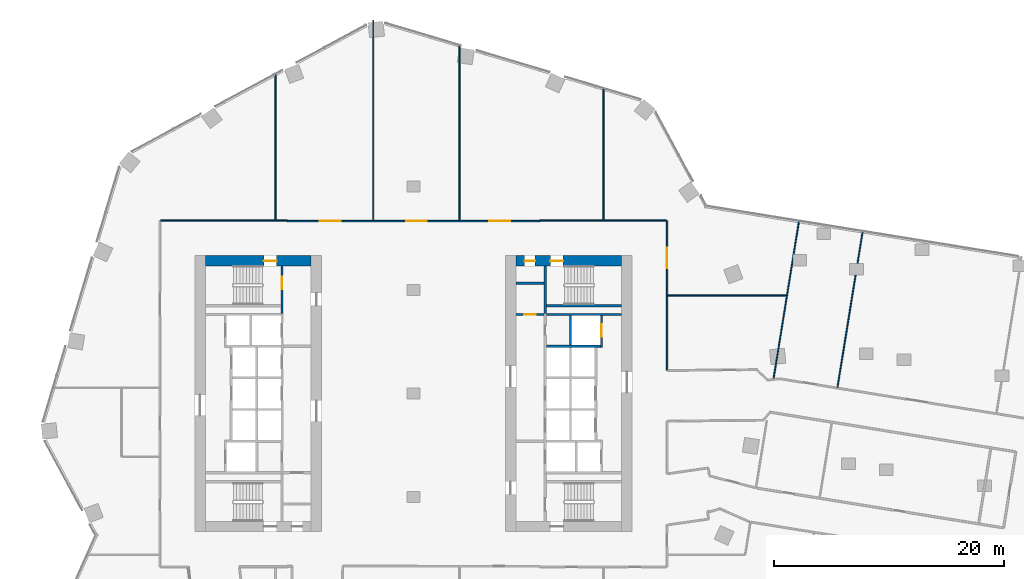
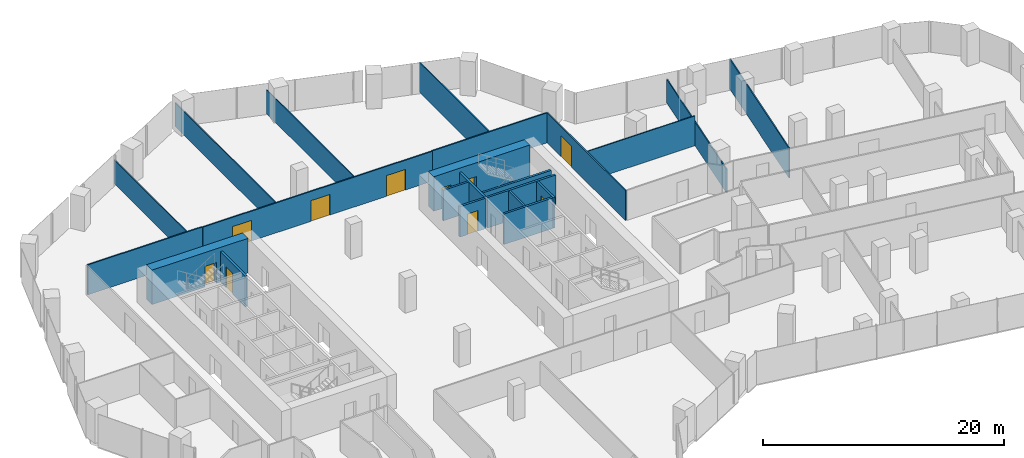
# One storey, part 29 of 34: 22 walls, 10 doors, 10 openings.
"""IFC4 building model written with IfcOpenShell, lengths in metres."""

from ifc_helpers import new_model, si_unit, direction, frame, frame_2d, origin, place, context, subcontext, project, spatial, rectangle, extrude, material, layer, layer_set, type_object, element, fill, save


model = new_model("IFC4")

# Units and contexts
model_context = context("Model", 3, precision=1e-05, world=origin(), true_north=direction((0.0, 1.0)))
body_context = subcontext(model_context, "Body", "Model", "MODEL_VIEW")
ifc_project = project(units=[si_unit("LENGTHUNIT", "METRE"), si_unit("AREAUNIT", "SQUARE_METRE"), si_unit("VOLUMEUNIT", "CUBIC_METRE"), si_unit("PLANEANGLEUNIT", "RADIAN"), si_unit("MASSUNIT", "GRAM", prefix="KILO")], contexts=[model_context])

# Site, building, storey
site_placement = place(None, origin())
site = spatial("IfcSite", under=ifc_project, at=site_placement, CompositionType="ELEMENT")
building_placement = place(site_placement, origin())
building = spatial("IfcBuilding", under=site, at=building_placement, Name="Orlundy Tower", CompositionType="ELEMENT")
storey_placement = place(building_placement, frame((0.0, 0.0, 134.199951171875)))
storey = spatial("IfcBuildingStorey", under=building, at=storey_placement, Name="L34", CompositionType="ELEMENT", Elevation=134.199951171875)

# Wall, opening, door
ifc_material_1 = material(Name="Concrete C80/95", Category="concrete")
ifc_layer_1 = layer(ifc_material_1, 0.89990234375)
ifc_layer_set_1 = layer_set([ifc_layer_1], Name="CORE WALL 900 C80/95")
wall_type_1 = type_object("IfcWallType", Name="CORE WALL 900 C80/95", PredefinedType="SHEAR", material=ifc_layer_set_1)
wall_1_placement = place(storey_placement, frame((-18.10009765625, 11.550048828125, 0.0), z_axis=(0.0, 0.0, 1.0), x_axis=(1.0, 0.0, 0.0)))
wall_1 = element("IfcWall", 1, at=wall_1_placement, inside=storey, type_object=wall_type_1, Name="Core wall W-N L34", PredefinedType="SHEAR", context=body_context, shape_type="SweptSolid", body=[
    extrude(rectangle(XDim=9.2001953125, YDim=0.89990234375, at=frame_2d((4.60009765625, 0.0))), origin(), (0.0, 0.0, 1.0), 3.5),
])
opening_1_placement = place(wall_1_placement, frame((5.10009765625, 0.0, 0.0)))
opening_1 = element("IfcOpeningElement", 2, at=opening_1_placement, cuts=wall_1, Name="Opening 26012", PredefinedType="OPENING", context=body_context, shape_type="SweptSolid", body=[
    extrude(rectangle(XDim=1.10009765625, YDim=2.10009765625, at=frame_2d((0.550048828125, 1.050048828125))), frame((0.0, 0.4599609375, 0.0), z_axis=(0.0, -1.0, 0.0), x_axis=(1.0, 0.0, 0.0)), (0.0, 0.0, 1.0), 0.919921875),
])
ifc_material_2 = material(Name="Steel door set", Category="steel")
door_type_1 = type_object("IfcDoorType", Name="Stair Door 1100x2100", OperationType="SINGLE_SWING_LEFT", PredefinedType="DOOR", material=ifc_material_2)
door_1_placement = place(opening_1_placement, origin())
door_1 = element("IfcDoor", 3, at=door_1_placement, inside=storey, type_object=door_type_1, Name="Stair door 26012", OperationType="SINGLE_SWING_RIGHT", OverallHeight=2.10009765625, OverallWidth=1.10009765625, PredefinedType="DOOR", context=body_context, shape_type="SweptSolid", body=[
    extrude(rectangle(XDim=1.10009765625, YDim=2.10009765625, at=frame_2d((0.550048828125, 1.050048828125))), frame((0.0, 0.02490234375, 0.0), z_axis=(0.0, -1.0, 0.0), x_axis=(1.0, 0.0, 0.0)), (0.0, 0.0, 1.0), 0.050048828125),
])
fill(opening_1, door_1)

# Wall, openings, doors
wall_2_placement = place(storey_placement, frame((8.89990234375, 11.550048828125, 0.0), z_axis=(0.0, 0.0, 1.0), x_axis=(1.0, 0.0, 0.0)))
wall_2 = element("IfcWall", 4, at=wall_2_placement, inside=storey, type_object=wall_type_1, Name="Core wall E-N L34", PredefinedType="SHEAR", context=body_context, shape_type="SweptSolid", body=[
    extrude(rectangle(XDim=9.2001953125, YDim=0.89990234375, at=frame_2d((4.60009765625, 0.0))), origin(), (0.0, 0.0, 1.0), 3.5),
])
opening_2_placement = place(wall_2_placement, frame((3.0, 0.0, 0.0)))
opening_2 = element("IfcOpeningElement", 5, at=opening_2_placement, cuts=wall_2, Name="Opening 26062", PredefinedType="OPENING", context=body_context, shape_type="SweptSolid", body=[
    extrude(rectangle(XDim=1.10009765625, YDim=2.10009765625, at=frame_2d((0.550048828125, 1.050048828125))), frame((0.0, 0.4599609375, 0.0), z_axis=(0.0, -1.0, 0.0), x_axis=(1.0, 0.0, 0.0)), (0.0, 0.0, 1.0), 0.919921875),
])
opening_3_placement = place(wall_2_placement, frame((0.77001953125, 0.0, 0.0)))
opening_3 = element("IfcOpeningElement", 6, at=opening_3_placement, cuts=wall_2, Name="Opening 26064", PredefinedType="OPENING", context=body_context, shape_type="SweptSolid", body=[
    extrude(rectangle(XDim=0.89990234375, YDim=2.10009765625, at=frame_2d((0.449951171875, 1.050048828125))), frame((0.0, 0.4599609375, 0.0), z_axis=(0.0, -1.0, 0.0), x_axis=(1.0, 0.0, 0.0)), (0.0, 0.0, 1.0), 0.919921875),
])
ifc_material_3 = material(Name="Timber door set", Category="wood")
door_type_2 = type_object("IfcDoorType", Name="Room Door 900x2100", OperationType="SINGLE_SWING_LEFT", PredefinedType="DOOR", material=ifc_material_3)
door_2_placement = place(opening_3_placement, origin())
door_2 = element("IfcDoor", 7, at=door_2_placement, inside=storey, type_object=door_type_2, Name="Store door 26064", OperationType="SINGLE_SWING_LEFT", OverallHeight=2.10009765625, OverallWidth=0.89990234375, PredefinedType="DOOR", context=body_context, shape_type="SweptSolid", body=[
    extrude(rectangle(XDim=0.89990234375, YDim=2.10009765625, at=frame_2d((0.449951171875, 1.050048828125))), frame((0.0, 0.02490234375, 0.0), z_axis=(0.0, -1.0, 0.0), x_axis=(1.0, 0.0, 0.0)), (0.0, 0.0, 1.0), 0.050048828125),
])
fill(opening_3, door_2)
door_3_placement = place(opening_2_placement, origin())
door_3 = element("IfcDoor", 8, at=door_3_placement, inside=storey, type_object=door_type_1, Name="Stair door 26062", OperationType="SINGLE_SWING_LEFT", OverallHeight=2.10009765625, OverallWidth=1.10009765625, PredefinedType="DOOR", context=body_context, shape_type="SweptSolid", body=[
    extrude(rectangle(XDim=1.10009765625, YDim=2.10009765625, at=frame_2d((0.550048828125, 1.050048828125))), frame((0.0, 0.02490234375, 0.0), z_axis=(0.0, -1.0, 0.0), x_axis=(1.0, 0.0, 0.0)), (0.0, 0.0, 1.0), 0.050048828125),
])
fill(opening_2, door_3)

# Walls
ifc_material_4 = material(Name="Gypsum board partition")
ifc_layer_2 = layer(ifc_material_4, 0.10009765625)
ifc_layer_set_2 = layer_set([ifc_layer_2], Name="Floor partition 100")
wall_type_2 = type_object("IfcWallType", Name="Floor partition 100", PredefinedType="PARTITIONING", material=ifc_layer_set_2)
wall_3_placement = place(storey_placement, frame((22.113037109375, 8.531005859375, 0.0), z_axis=(0.0, 0.0, 1.0), x_axis=(1.0, 0.0, 0.0)))
element("IfcWall", 9, at=wall_3_placement, inside=storey, type_object=wall_type_2, Name="wall-int-L34-039", PredefinedType="PARTITIONING", context=body_context, shape_type="SweptSolid", body=[
    extrude(rectangle(XDim=10.303955078125, YDim=0.10009765625, at=frame_2d((5.15185546875, 0.0))), origin(), (0.0, 0.0, 1.0), 3.030029296875),
])
wall_4_placement = place(storey_placement, frame((36.85791015625, 0.549072265625, 0.0), z_axis=(0.0, 0.0, 1.0), x_axis=(0.159375015721, 0.987218113876, 0.0)))
element("IfcWall", 10, at=wall_4_placement, inside=storey, type_object=wall_type_2, Name="wall-int-L34-069", PredefinedType="PARTITIONING", context=body_context, shape_type="SweptSolid", body=[
    extrude(rectangle(XDim=13.835693359375, YDim=0.10009765625, at=frame_2d((6.91796875, 0.0))), origin(), (0.0, 0.0, 1.0), 3.030029296875),
])
wall_5_placement = place(storey_placement, frame((16.52099609375, 15.114013671875, 0.0), z_axis=(0.0, 0.0, 1.0), x_axis=(0.0, 1.0, 0.0)))
element("IfcWall", 11, at=wall_5_placement, inside=storey, type_object=wall_type_2, Name="wall-int-L34-080", PredefinedType="PARTITIONING", context=body_context, shape_type="SweptSolid", body=[
    extrude(rectangle(XDim=11.51708984375, YDim=0.10009765625, at=frame_2d((5.758544921875, 0.0))), origin(), (0.0, 0.0, 1.0), 3.030029296875),
])
ifc_material_5 = material(Name="Gypsum board partition")
ifc_layer_3 = layer(ifc_material_5, 0.10009765625)
ifc_layer_set_3 = layer_set([ifc_layer_3], Name="Floor partition 100 B")
wall_type_3 = type_object("IfcWallType", Name="Floor partition 100 B", PredefinedType="PARTITIONING", material=ifc_layer_set_3)
wall_6_placement = place(storey_placement, frame((31.302001953125, 1.31396484375, 0.0), z_axis=(0.0, 0.0, 1.0), x_axis=(0.159396223654, 0.987214689865, 0.0)))
element("IfcWall", 12, at=wall_6_placement, inside=storey, type_object=wall_type_3, Name="wall-int-L34-072", PredefinedType="PARTITIONING", context=body_context, shape_type="SweptSolid", body=[
    extrude(rectangle(XDim=13.965576171875, YDim=0.10009765625, at=frame_2d((6.98291015625, 0.0))), origin(), (0.0, 0.0, 1.0), 2.39501953125),
])
wall_7_placement = place(storey_placement, frame((4.0, 15.06298828125, 0.0), z_axis=(0.0, 0.0, 1.0), x_axis=(0.0, 1.0, 0.0)))
element("IfcWall", 13, at=wall_7_placement, inside=storey, type_object=wall_type_3, Name="wall-int-L34-082", PredefinedType="PARTITIONING", context=body_context, shape_type="SweptSolid", body=[
    extrude(rectangle(XDim=15.31591796875, YDim=0.10009765625, at=frame_2d((7.657958984375, 0.0))), origin(), (0.0, 0.0, 1.0), 2.39501953125),
])
wall_8_placement = place(storey_placement, frame((-3.4951171875, 15.06298828125, 0.0), z_axis=(0.0, 0.0, 1.0), x_axis=(0.0, 1.0, 0.0)))
element("IfcWall", 14, at=wall_8_placement, inside=storey, type_object=wall_type_3, Name="wall-int-L34-083", PredefinedType="PARTITIONING", context=body_context, shape_type="SweptSolid", body=[
    extrude(rectangle(XDim=17.419921875, YDim=0.10009765625, at=frame_2d((8.7099609375, 0.0))), origin(), (0.0, 0.0, 1.0), 2.39501953125),
])
wall_9_placement = place(storey_placement, frame((-12.0, 15.114013671875, 0.0), z_axis=(0.0, 0.0, 1.0), x_axis=(0.0, 1.0, 0.0)))
element("IfcWall", 15, at=wall_9_placement, inside=storey, type_object=wall_type_3, Name="wall-int-L34-085", PredefinedType="PARTITIONING", context=body_context, shape_type="SweptSolid", body=[
    extrude(rectangle(XDim=12.782958984375, YDim=0.10009765625, at=frame_2d((6.3916015625, 0.0))), origin(), (0.0, 0.0, 1.0), 2.39501953125),
])

# Wall, openings, doors
ifc_material_6 = material(Name="Gypsum board partition, double layer")
ifc_layer_4 = layer(ifc_material_6, 0.125)
ifc_layer_set_4 = layer_set([ifc_layer_4], Name="Floor partition 125")
wall_type_4 = type_object("IfcWallType", Name="Floor partition 125", PredefinedType="PARTITIONING", material=ifc_layer_set_4)
wall_10_placement = place(storey_placement, frame((-10.989990234375, 15.0009765625, 0.0), z_axis=(0.0, 0.0, 1.0), x_axis=(1.0, 0.0, 0.0)))
wall_10 = element("IfcWall", 16, at=wall_10_placement, inside=storey, type_object=wall_type_4, Name="wall-int-L34-040", PredefinedType="PARTITIONING", context=body_context, shape_type="SweptSolid", body=[
    extrude(rectangle(XDim=21.97998046875, YDim=0.125, at=frame_2d((10.989990234375, 0.0))), origin(), (0.0, 0.0, 1.0), 3.030029296875),
])
opening_4_placement = place(wall_10_placement, frame((17.590087890625, 0.0, 0.0)))
opening_4 = element("IfcOpeningElement", 17, at=opening_4_placement, cuts=wall_10, Name="Opening 26130", PredefinedType="OPENING", context=body_context, shape_type="SweptSolid", body=[
    extrude(rectangle(XDim=1.800048828125, YDim=2.10009765625, at=frame_2d((0.89990234375, 1.050048828125))), frame((0.0, 0.072509765625, 0.0), z_axis=(0.0, -1.0, 0.0), x_axis=(1.0, 0.0, 0.0)), (0.0, 0.0, 1.0), 0.14501953125),
])
opening_5_placement = place(wall_10_placement, frame((10.344970703125, 0.0, 0.0)))
opening_5 = element("IfcOpeningElement", 18, at=opening_5_placement, cuts=wall_10, Name="Opening 26131", PredefinedType="OPENING", context=body_context, shape_type="SweptSolid", body=[
    extrude(rectangle(XDim=1.800048828125, YDim=2.10009765625, at=frame_2d((0.89990234375, 1.050048828125))), frame((0.0, 0.072509765625, 0.0), z_axis=(0.0, -1.0, 0.0), x_axis=(1.0, 0.0, 0.0)), (0.0, 0.0, 1.0), 0.14501953125),
])
opening_6_placement = place(wall_10_placement, frame((2.85009765625, 0.0, 0.0)))
opening_6 = element("IfcOpeningElement", 19, at=opening_6_placement, cuts=wall_10, Name="Opening 26132", PredefinedType="OPENING", context=body_context, shape_type="SweptSolid", body=[
    extrude(rectangle(XDim=1.800048828125, YDim=2.10009765625, at=frame_2d((0.89990234375, 1.050048828125))), frame((0.0, 0.072509765625, 0.0), z_axis=(0.0, -1.0, 0.0), x_axis=(1.0, 0.0, 0.0)), (0.0, 0.0, 1.0), 0.14501953125),
])
ifc_material_7 = material(Name="Timber door leaf", Category="wood")
door_type_3 = type_object("IfcDoorType", Name="Floor door double 1800 FD30S", OperationType="NOTDEFINED", PredefinedType="DOOR", material=ifc_material_7)
door_4_placement = place(opening_4_placement, origin())
door_4 = element("IfcDoor", 20, at=door_4_placement, inside=storey, type_object=door_type_3, Name="Door 26130", OperationType="DOUBLE_DOOR_SINGLE_SWING", OverallHeight=2.10009765625, OverallWidth=1.800048828125, PredefinedType="DOOR", context=body_context, shape_type="SweptSolid", body=[
    extrude(rectangle(XDim=1.800048828125, YDim=2.10009765625, at=frame_2d((0.89990234375, 1.050048828125))), frame((0.0, 0.02490234375, 0.0), z_axis=(0.0, -1.0, 0.0), x_axis=(1.0, 0.0, 0.0)), (0.0, 0.0, 1.0), 0.050048828125),
])
fill(opening_4, door_4)
door_5_placement = place(opening_5_placement, origin())
door_5 = element("IfcDoor", 21, at=door_5_placement, inside=storey, type_object=door_type_3, Name="Door 26131", OperationType="DOUBLE_DOOR_SINGLE_SWING", OverallHeight=2.10009765625, OverallWidth=1.800048828125, PredefinedType="DOOR", context=body_context, shape_type="SweptSolid", body=[
    extrude(rectangle(XDim=1.800048828125, YDim=2.10009765625, at=frame_2d((0.89990234375, 1.050048828125))), frame((0.0, 0.02490234375, 0.0), z_axis=(0.0, -1.0, 0.0), x_axis=(1.0, 0.0, 0.0)), (0.0, 0.0, 1.0), 0.050048828125),
])
fill(opening_5, door_5)
door_6_placement = place(opening_6_placement, origin())
door_6 = element("IfcDoor", 22, at=door_6_placement, inside=storey, type_object=door_type_3, Name="Door 26132", OperationType="DOUBLE_DOOR_SINGLE_SWING", OverallHeight=2.10009765625, OverallWidth=1.800048828125, PredefinedType="DOOR", context=body_context, shape_type="SweptSolid", body=[
    extrude(rectangle(XDim=1.800048828125, YDim=2.10009765625, at=frame_2d((0.89990234375, 1.050048828125))), frame((0.0, 0.02490234375, 0.0), z_axis=(0.0, -1.0, 0.0), x_axis=(1.0, 0.0, 0.0)), (0.0, 0.0, 1.0), 0.050048828125),
])
fill(opening_6, door_6)

# Walls
for number, where, z_axis, x_axis, name in (
    (23, (-21.988037109375, 15.051025390625, 0.0), (0.0, 0.0, 1.0), (1.0, 0.0, 0.0), "wall-int-L34-041"),
    (24, (10.990966796875, 15.051025390625, 0.0), (0.0, 0.0, 1.0), (1.0, 0.0, 0.0), "wall-int-L34-042"),
):
    element("IfcWall", number, at=place(storey_placement, frame(where, z_axis=z_axis, x_axis=x_axis)), inside=storey, type_object=wall_type_4, Name=name, PredefinedType="PARTITIONING", context=body_context, shape_type="SweptSolid", body=[
        extrude(rectangle(XDim=10.9970703125, YDim=0.125, at=frame_2d((5.49853515625, 0.0))), origin(), (0.0, 0.0, 1.0), 3.030029296875),
    ])

# Wall, opening, door
wall_11_placement = place(storey_placement, frame((22.051025390625, 15.050048828125, 0.0), z_axis=(0.0, 0.0, 1.0), x_axis=(0.0, -1.0, 0.0)))
wall_11 = element("IfcWall", 25, at=wall_11_placement, inside=storey, type_object=wall_type_4, Name="wall-int-L34-078", PredefinedType="PARTITIONING", context=body_context, shape_type="SweptSolid", body=[
    extrude(rectangle(XDim=13.0361328125, YDim=0.125, at=frame_2d((6.51806640625, 0.0))), origin(), (0.0, 0.0, 1.0), 3.030029296875),
])
opening_7_placement = place(wall_11_placement, frame((2.35009765625, 0.0, 0.0)))
opening_7 = element("IfcOpeningElement", 26, at=opening_7_placement, cuts=wall_11, Name="Opening 26129", PredefinedType="OPENING", context=body_context, shape_type="SweptSolid", body=[
    extrude(rectangle(XDim=1.800048828125, YDim=2.10009765625, at=frame_2d((0.89990234375, 1.050048828125))), frame((0.0, 0.072509765625, 0.0), z_axis=(0.0, -1.0, 0.0), x_axis=(1.0, 0.0, 0.0)), (0.0, 0.0, 1.0), 0.14501953125),
])
door_7_placement = place(opening_7_placement, origin())
door_7 = element("IfcDoor", 27, at=door_7_placement, inside=storey, type_object=door_type_3, Name="Door 26129", OperationType="DOUBLE_DOOR_SINGLE_SWING", OverallHeight=2.10009765625, OverallWidth=1.800048828125, PredefinedType="DOOR", context=body_context, shape_type="SweptSolid", body=[
    extrude(rectangle(XDim=1.800048828125, YDim=2.10009765625, at=frame_2d((0.89990234375, 1.050048828125))), frame((0.0, 0.02490234375, 0.0), z_axis=(0.0, -1.0, 0.0), x_axis=(1.0, 0.0, 0.0)), (0.0, 0.0, 1.0), 0.050048828125),
])
fill(opening_7, door_7)

ifc_material_8 = material(Name="Concrete C40/50", Category="concrete")
ifc_layer_5 = layer(ifc_material_8, 0.199951171875)
ifc_layer_set_5 = layer_set([ifc_layer_5], Name="Load-bearing Shaft Wall 200")
wall_type_5 = type_object("IfcWallType", Name="Load-bearing Shaft Wall 200", PredefinedType="SOLIDWALL", material=ifc_layer_set_5)
wall_12_placement = place(storey_placement, frame((-11.43994140625, 6.97509765625, 0.0), z_axis=(0.0, 0.0, 1.0), x_axis=(0.0, 1.0, 0.0)))
wall_12 = element("IfcWall", 28, at=wall_12_placement, inside=storey, type_object=wall_type_5, Name="Shaft wall W26-stair-end-n", PredefinedType="SOLIDWALL", context=body_context, shape_type="SweptSolid", body=[
    extrude(rectangle(XDim=4.125, YDim=0.199951171875, at=frame_2d((2.0625, 0.0))), origin(), (0.0, 0.0, 1.0), 3.090087890625),
])
opening_8_placement = place(wall_12_placement, frame((2.10009765625, 0.0, 0.0)))
opening_8 = element("IfcOpeningElement", 29, at=opening_8_placement, cuts=wall_12, Name="Opening 26014", PredefinedType="OPENING", context=body_context, shape_type="SweptSolid", body=[
    extrude(rectangle(XDim=1.10009765625, YDim=2.10009765625, at=frame_2d((0.550048828125, 1.050048828125))), frame((0.0, 0.110107421875, 0.0), z_axis=(0.0, -1.0, 0.0), x_axis=(1.0, 0.0, 0.0)), (0.0, 0.0, 1.0), 0.22021484375),
])
ifc_material_9 = material(Name="Steel door set", Category="steel")
door_type_4 = type_object("IfcDoorType", Name="Fire-fighting Lobby Door 1100x2100", OperationType="SINGLE_SWING_LEFT", PredefinedType="DOOR", material=ifc_material_9)
door_8_placement = place(opening_8_placement, origin())
door_8 = element("IfcDoor", 30, at=door_8_placement, inside=storey, type_object=door_type_4, Name="Fire-fighting lobby to stair door 26014", OperationType="SINGLE_SWING_RIGHT", OverallHeight=2.10009765625, OverallWidth=1.10009765625, PredefinedType="DOOR", context=body_context, shape_type="SweptSolid", body=[
    extrude(rectangle(XDim=1.10009765625, YDim=2.10009765625, at=frame_2d((0.550048828125, 1.050048828125))), frame((0.0, 0.02490234375, 0.0), z_axis=(0.0, -1.0, 0.0), x_axis=(1.0, 0.0, 0.0)), (0.0, 0.0, 1.0), 0.050048828125),
])
fill(opening_8, door_8)

# Walls
wall_13_placement = place(storey_placement, frame((11.43994140625, 11.10009765625, 0.0), z_axis=(0.0, 0.0, 1.0), x_axis=(0.0, -1.0, 0.0)))
element("IfcWall", 31, at=wall_13_placement, inside=storey, type_object=wall_type_5, Name="Shaft wall E26-stair-end-s", PredefinedType="SOLIDWALL", context=body_context, shape_type="SweptSolid", body=[
    extrude(rectangle(XDim=4.125, YDim=0.199951171875, at=frame_2d((2.0625, 0.0))), origin(), (0.0, 0.0, 1.0), 3.090087890625),
])
wall_14_placement = place(storey_placement, frame((11.5400390625, 7.64990234375, 0.0), z_axis=(0.0, 0.0, 1.0), x_axis=(1.0, 0.0, 0.0)))
element("IfcWall", 32, at=wall_14_placement, inside=storey, type_object=wall_type_5, Name="Shaft wall E26-stair-side-s", PredefinedType="SOLIDWALL", context=body_context, shape_type="SweptSolid", body=[
    extrude(rectangle(XDim=6.56005859375, YDim=0.199951171875, at=frame_2d((3.280029296875, 0.0))), origin(), (0.0, 0.0, 1.0), 3.090087890625),
])

# Wall, opening, door
ifc_material_10 = material(Name="Gypsum board partition on steel studs", Category="steel")
ifc_layer_6 = layer(ifc_material_10, 0.199951171875)
ifc_layer_set_6 = layer_set([ifc_layer_6], Name="Partition 200")
wall_type_6 = type_object("IfcWallType", Name="Partition 200", PredefinedType="PARTITIONING", material=ifc_layer_set_6)
wall_15_placement = place(storey_placement, frame((8.89990234375, 6.875, 0.0), z_axis=(0.0, 0.0, 1.0), x_axis=(1.0, 0.0, 0.0)))
wall_15 = element("IfcWall", 33, at=wall_15_placement, inside=storey, type_object=wall_type_6, Name="Partition wall E26-end-s", PredefinedType="PARTITIONING", context=body_context, shape_type="SweptSolid", body=[
    extrude(rectangle(XDim=2.440185546875, YDim=0.199951171875, at=frame_2d((1.22021484375, 0.0))), origin(), (0.0, 0.0, 1.0), 3.090087890625),
])
opening_9_placement = place(wall_15_placement, frame((0.719970703125, 0.0, 0.0)))
opening_9 = element("IfcOpeningElement", 34, at=opening_9_placement, cuts=wall_15, Name="Opening 26065", PredefinedType="OPENING", context=body_context, shape_type="SweptSolid", body=[
    extrude(rectangle(XDim=1.0, YDim=2.10009765625, at=frame_2d((0.5, 1.050048828125))), frame((0.0, 0.110107421875, 0.0), z_axis=(0.0, -1.0, 0.0), x_axis=(1.0, 0.0, 0.0)), (0.0, 0.0, 1.0), 0.22021484375),
])
ifc_material_11 = material(Name="Timber door set", Category="wood")
door_type_5 = type_object("IfcDoorType", Name="Accessible Door 1000x2100", OperationType="SINGLE_SWING_LEFT", PredefinedType="DOOR", material=ifc_material_11)
door_9_placement = place(opening_9_placement, origin())
door_9 = element("IfcDoor", 35, at=door_9_placement, inside=storey, type_object=door_type_5, Name="Accessible WC door 26065", OperationType="SINGLE_SWING_RIGHT", OverallHeight=2.10009765625, OverallWidth=1.0, PredefinedType="DOOR", context=body_context, shape_type="SweptSolid", body=[
    extrude(rectangle(XDim=1.0, YDim=2.10009765625, at=frame_2d((0.5, 1.050048828125))), frame((0.0, 0.02490234375, 0.0), z_axis=(0.0, -1.0, 0.0), x_axis=(1.0, 0.0, 0.0)), (0.0, 0.0, 1.0), 0.050048828125),
])
fill(opening_9, door_9)

# Walls
wall_16_placement = place(storey_placement, frame((8.89990234375, 9.60009765625, 0.0), z_axis=(0.0, 0.0, 1.0), x_axis=(1.0, 0.0, 0.0)))
element("IfcWall", 36, at=wall_16_placement, inside=storey, type_object=wall_type_6, Name="Partition wall E26-room-s0", PredefinedType="PARTITIONING", context=body_context, shape_type="SweptSolid", body=[
    extrude(rectangle(XDim=2.440185546875, YDim=0.199951171875, at=frame_2d((1.22021484375, 0.0))), origin(), (0.0, 0.0, 1.0), 3.090087890625),
])
ifc_material_12 = material(Name="Fire-rated blockwork shaft wall", Category="masonry")
ifc_layer_7 = layer(ifc_material_12, 0.199951171875)
ifc_layer_set_7 = layer_set([ifc_layer_7], Name="Shaft Wall 200")
wall_type_7 = type_object("IfcWallType", Name="Shaft Wall 200", PredefinedType="SOLIDWALL", material=ifc_layer_set_7)
wall_17_placement = place(storey_placement, frame((11.5400390625, 6.875, 0.0), z_axis=(0.0, 0.0, 1.0), x_axis=(1.0, 0.0, 0.0)))
element("IfcWall", 37, at=wall_17_placement, inside=storey, type_object=wall_type_7, Name="Shaft wall E26-zone-s", PredefinedType="SOLIDWALL", context=body_context, shape_type="SweptSolid", body=[
    extrude(rectangle(XDim=6.56005859375, YDim=0.199951171875, at=frame_2d((3.280029296875, 0.0))), origin(), (0.0, 0.0, 1.0), 3.090087890625),
])
wall_18_placement = place(storey_placement, frame((11.5400390625, 4.125, 0.0), z_axis=(0.0, 0.0, 1.0), x_axis=(1.0, 0.0, 0.0)))
element("IfcWall", 38, at=wall_18_placement, inside=storey, type_object=wall_type_7, Name="Shaft wall E26-cross-4.125", PredefinedType="SOLIDWALL", context=body_context, shape_type="SweptSolid", body=[
    extrude(rectangle(XDim=4.699951171875, YDim=0.199951171875, at=frame_2d((2.35009765625, 0.0))), origin(), (0.0, 0.0, 1.0), 3.090087890625),
])
wall_19_placement = place(storey_placement, frame((13.639892578125, 6.77490234375, 0.0), z_axis=(0.0, 0.0, 1.0), x_axis=(0.0, -1.0, 0.0)))
element("IfcWall", 39, at=wall_19_placement, inside=storey, type_object=wall_type_7, Name="Shaft wall E26-mid-a", PredefinedType="SOLIDWALL", context=body_context, shape_type="SweptSolid", body=[
    extrude(rectangle(XDim=2.5498046875, YDim=0.199951171875, at=frame_2d((1.27490234375, 0.0))), origin(), (0.0, 0.0, 1.0), 3.090087890625),
])

# Wall, opening, door
wall_20_placement = place(storey_placement, frame((16.340087890625, 6.77490234375, 0.0), z_axis=(0.0, 0.0, 1.0), x_axis=(0.0, -1.0, 0.0)))
wall_20 = element("IfcWall", 40, at=wall_20_placement, inside=storey, type_object=wall_type_7, Name="Shaft wall E26-front-o-a", PredefinedType="SOLIDWALL", context=body_context, shape_type="SweptSolid", body=[
    extrude(rectangle(XDim=2.75, YDim=0.199951171875, at=frame_2d((1.375, 0.0))), origin(), (0.0, 0.0, 1.0), 3.090087890625),
])
opening_10_placement = place(wall_20_placement, frame((0.72509765625, 0.0, 0.0)))
opening_10 = element("IfcOpeningElement", 41, at=opening_10_placement, cuts=wall_20, Name="Opening 26050", PredefinedType="OPENING", context=body_context, shape_type="SweptSolid", body=[
    extrude(rectangle(XDim=1.10009765625, YDim=2.10009765625, at=frame_2d((0.550048828125, 1.050048828125))), frame((0.0, 0.110107421875, 0.0), z_axis=(0.0, -1.0, 0.0), x_axis=(1.0, 0.0, 0.0)), (0.0, 0.0, 1.0), 0.22021484375),
])
ifc_material_13 = material(Name="Steel door set", Category="steel")
door_type_6 = type_object("IfcDoorType", Name="Landing Door 1100x2100", OperationType="DOUBLE_DOOR_SLIDING", PredefinedType="DOOR", material=ifc_material_13)
door_10_placement = place(opening_10_placement, origin())
door_10 = element("IfcDoor", 42, at=door_10_placement, inside=storey, type_object=door_type_6, Name="Lift landing door LV-02 26050", OperationType="DOUBLE_DOOR_SLIDING", OverallHeight=2.10009765625, OverallWidth=1.10009765625, PredefinedType="DOOR", context=body_context, shape_type="SweptSolid", body=[
    extrude(rectangle(XDim=1.10009765625, YDim=2.10009765625, at=frame_2d((0.550048828125, 1.050048828125))), frame((0.0, 0.02490234375, 0.0), z_axis=(0.0, -1.0, 0.0), x_axis=(1.0, 0.0, 0.0)), (0.0, 0.0, 1.0), 0.050048828125),
])
fill(opening_10, door_10)

save(model, "model.ifc")
